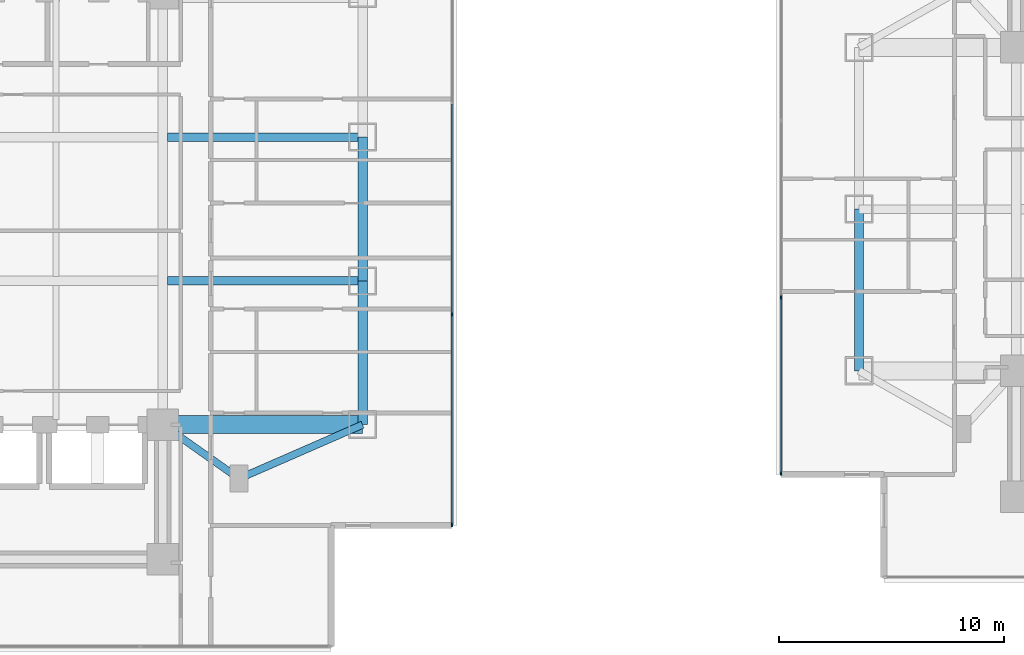
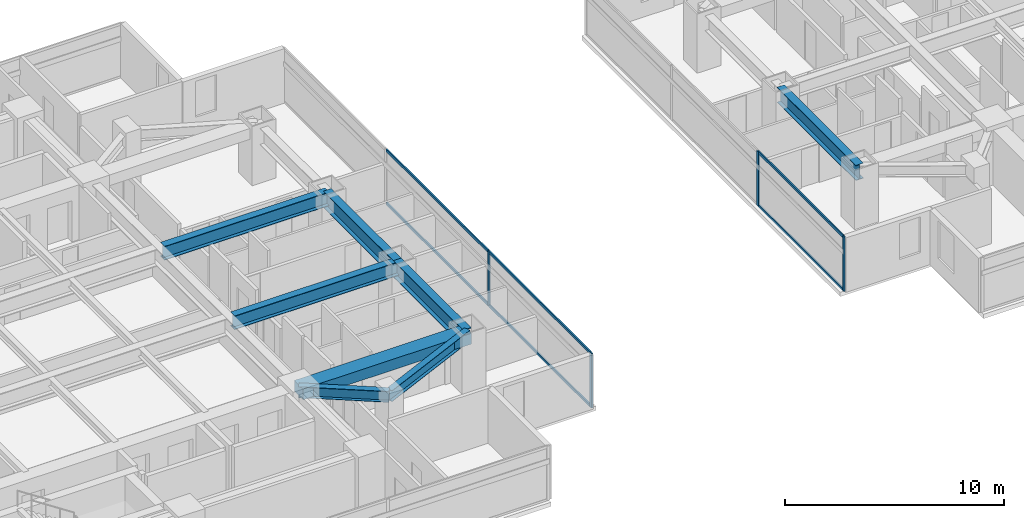
# One storey, part 5 of 26: 10 members, 8 beams, 2 elements without a shape of their own.
"""IFC4 building model written with IfcOpenShell, lengths in metres."""

from ifc_helpers import new_model, si_unit, direction, frame, origin, origin_2d, place, context, subcontext, project, spatial, rectangle, i_section, extrude, material, material_profile, profile_set, type_object, element, aggregate, save


model = new_model("IFC4")

# Units and contexts
model_context = context("Model", 3, precision=1e-05, world=origin(), true_north=direction((0.0, 1.0)))
body_context = subcontext(model_context, "Body", "Model", "MODEL_VIEW")
ifc_project = project(units=[si_unit("LENGTHUNIT", "METRE"), si_unit("AREAUNIT", "SQUARE_METRE"), si_unit("VOLUMEUNIT", "CUBIC_METRE"), si_unit("PLANEANGLEUNIT", "RADIAN"), si_unit("MASSUNIT", "GRAM", prefix="KILO")], contexts=[model_context])

# Site, building, storey
site_placement = place(None, origin())
site = spatial("IfcSite", under=ifc_project, at=site_placement, CompositionType="ELEMENT")
building_placement = place(site_placement, origin())
building = spatial("IfcBuilding", under=site, at=building_placement, Name="Mirazonda Arch Towers", CompositionType="ELEMENT")
storey_placement = place(building_placement, frame((0.0, 0.0, 38.89990234375)))
storey = spatial("IfcBuildingStorey", under=building, at=storey_placement, Name="L10", CompositionType="ELEMENT", Elevation=38.89990234375)

# Beams
ifc_material_1 = material(Name="Steel ASTM A992 Grade 50", Category="steel")
ifc_material_profile_1 = material_profile(ifc_material_1, i_section(OverallWidth=0.39990234375, OverallDepth=0.85595703125, WebThickness=0.018310546875, FlangeThickness=0.029296875, at=origin_2d()), Name="W33X201")
ifc_profile_set_1 = profile_set([ifc_material_profile_1], Name="Steel ASTM A992 Grade 50")
beam_type_1 = type_object("IfcBeamType", Name="BM-EXT-W33X201", PredefinedType="USERDEFINED", material=ifc_profile_set_1)
beam_1_placement = place(storey_placement, frame((61.0, 20.800048828125, 2.632080078125), z_axis=(0.0, 1.0, 0.0), x_axis=(-1.0, 0.0, 0.0)))
element("IfcBeam", 1, at=beam_1_placement, inside=storey, type_object=beam_type_1, Name="L10 Floor Beam BM-T2-L10-NS-W-20", ObjectType="GIRDER", PredefinedType="USERDEFINED", context=body_context, shape_type="SweptSolid", body=[
    extrude(i_section(OverallWidth=0.39990234375, OverallDepth=0.85595703125, WebThickness=0.018310546875, FlangeThickness=0.029296875, at=origin_2d()), origin(), (0.0, 0.0, 1.0), 7.199951171875),
])
ifc_material_profile_2 = material_profile(ifc_material_1, i_section(OverallWidth=0.41796875, OverallDepth=0.927001953125, WebThickness=0.019287109375, FlangeThickness=0.031982421875, at=origin_2d()), Name="W36X231")
ifc_profile_set_2 = profile_set([ifc_material_profile_2], Name="Steel ASTM A992 Grade 50")
beam_type_2 = type_object("IfcBeamType", Name="BM-EXT-W36X231", PredefinedType="USERDEFINED", material=ifc_profile_set_2)
beam_2_placement = place(storey_placement, frame((38.89990234375, 18.39990234375, 2.5966796875), z_axis=(0.0, 1.0, 0.0), x_axis=(-1.0, 0.0, 0.0)))
element("IfcBeam", 2, at=beam_2_placement, inside=storey, type_object=beam_type_2, Name="L10 Floor Beam BM-T1-L10-NS-E-18", ObjectType="GIRDER", PredefinedType="USERDEFINED", context=body_context, shape_type="SweptSolid", body=[
    extrude(i_section(OverallWidth=0.41796875, OverallDepth=0.927001953125, WebThickness=0.019287109375, FlangeThickness=0.031982421875, at=origin_2d()), origin(), (0.0, 0.0, 1.0), 6.400146484375),
])
beam_3_placement = place(storey_placement, frame((38.89990234375, 24.800048828125, 2.5966796875), z_axis=(0.0, 1.0, 0.0), x_axis=(-1.0, 0.0, 0.0)))
element("IfcBeam", 3, at=beam_3_placement, inside=storey, type_object=beam_type_2, Name="L10 Floor Beam BM-T1-L10-NS-E-24", ObjectType="GIRDER", PredefinedType="USERDEFINED", context=body_context, shape_type="SweptSolid", body=[
    extrude(i_section(OverallWidth=0.41796875, OverallDepth=0.927001953125, WebThickness=0.019287109375, FlangeThickness=0.031982421875, at=origin_2d()), origin(), (0.0, 0.0, 1.0), 6.39990234375),
])
ifc_material_profile_3 = material_profile(ifc_material_1, i_section(OverallWidth=0.324951171875, OverallDepth=0.615966796875, WebThickness=0.013916015625, FlangeThickness=0.021484375, at=origin_2d()), Name="W24X117")
ifc_profile_set_3 = profile_set([ifc_material_profile_3], Name="Steel ASTM A992 Grade 50")
beam_type_3 = type_object("IfcBeamType", Name="BM-INT-W24X117", PredefinedType="BEAM", material=ifc_profile_set_3)
beam_4_placement = place(storey_placement, frame((33.39990234375, 16.0, 2.752197265625), z_axis=(-0.816971114901, 0.576678591087, 0.0), x_axis=(-0.576678591087, -0.816971114901, 0.0)))
element("IfcBeam", 4, at=beam_4_placement, inside=storey, type_object=beam_type_3, Name="L10 Floor Beam BM-T1-L10-PL-SE1", PredefinedType="BEAM", context=body_context, shape_type="SweptSolid", body=[
    extrude(i_section(OverallWidth=0.324951171875, OverallDepth=0.615966796875, WebThickness=0.013916015625, FlangeThickness=0.021484375, at=origin_2d()), origin(), (0.0, 0.0, 1.0), 4.16162109375),
])
beam_5_placement = place(storey_placement, frame((33.39990234375, 16.0, 2.752197265625), z_axis=(0.916545343703, 0.399930785183, 0.0), x_axis=(-0.399930785183, 0.916545343703, 0.0)))
element("IfcBeam", 5, at=beam_5_placement, inside=storey, type_object=beam_type_3, Name="L10 Floor Beam BM-T1-L10-PL-SE2", PredefinedType="BEAM", context=body_context, shape_type="SweptSolid", body=[
    extrude(i_section(OverallWidth=0.324951171875, OverallDepth=0.615966796875, WebThickness=0.013916015625, FlangeThickness=0.021484375, at=origin_2d()), origin(), (0.0, 0.0, 1.0), 6.000732421875),
])
ifc_material_profile_4 = material_profile(ifc_material_1, i_section(OverallWidth=0.381103515625, OverallDepth=0.77294921875, WebThickness=0.0166015625, FlangeThickness=0.027099609375, at=origin_2d()), Name="W30X173")
ifc_profile_set_4 = profile_set([ifc_material_profile_4], Name="Steel ASTM A992 Grade 50")
beam_type_4 = type_object("IfcBeamType", Name="BM-INT-W30X173", PredefinedType="USERDEFINED", material=ifc_profile_set_4)
for number, where, z_axis, x_axis, name in (
    (6, (30.21142578125, 24.800048828125, 2.673583984375), (1.0, 0.0, 0.0), (0.0, 1.0, 0.0), "L10 Floor Beam BM-T1-L10-GE2"),
    (7, (30.21142578125, 31.199951171875, 2.673583984375), (1.0, 0.0, 0.0), (0.0, 1.0, 0.0), "L10 Floor Beam BM-T1-L10-GE3"),
):
    element("IfcBeam", number, at=place(storey_placement, frame(where, z_axis=z_axis, x_axis=x_axis)), inside=storey, type_object=beam_type_4, Name=name, ObjectType="GIRDER", PredefinedType="USERDEFINED", context=body_context, shape_type="SweptSolid", body=[
        extrude(i_section(OverallWidth=0.381103515625, OverallDepth=0.77294921875, WebThickness=0.0166015625, FlangeThickness=0.027099609375, at=origin_2d()), origin(), (0.0, 0.0, 1.0), 8.6884765625),
    ])
ifc_material_2 = material(Name="Concrete C60/75", Category="concrete")
ifc_material_profile_5 = material_profile(ifc_material_2, rectangle(XDim=0.800048828125, YDim=0.60009765625, at=origin_2d()), Name="RCCB800x600")
ifc_profile_set_5 = profile_set([ifc_material_profile_5], Name="Concrete C60/75")
beam_type_5 = type_object("IfcBeamType", Name="CB-INT-RCCB800x600", PredefinedType="SPANDREL", material=ifc_profile_set_5)
beam_6_placement = place(storey_placement, frame((30.0, 18.39990234375, 2.760009765625), z_axis=(1.0, 0.0, 0.0), x_axis=(0.0, 1.0, 0.0)))
element("IfcBeam", 8, at=beam_6_placement, inside=storey, type_object=beam_type_5, Name="L10 Floor Beam CBC-T1-L10-SE", PredefinedType="SPANDREL", context=body_context, shape_type="SweptSolid", body=[
    extrude(rectangle(XDim=0.800048828125, YDim=0.60009765625, at=origin_2d()), origin(), (0.0, 0.0, 1.0), 8.89990234375),
])

# Curtain wall, members
ifc_material_3 = material(Name="Anodised Aluminium and Low-E Glass", Category="aluminium")
curtain_wall_type = type_object("IfcCurtainWallType", Name="CW-HTL-UNIT", PredefinedType="NOTDEFINED", material=ifc_material_3)
curtain_wall_1_placement = place(storey_placement, origin())
curtain_wall_1 = element("IfcCurtainWall", 9, at=curtain_wall_1_placement, inside=storey, type_object=curtain_wall_type, Name="L10 T1 E Facade CW-L10-T1-E", PredefinedType="NOTDEFINED")
ifc_material_4 = material(Name="Anodised Aluminium Alloy", Category="aluminium")
ifc_material_profile_6 = material_profile(ifc_material_4, rectangle(XDim=0.074951171875, YDim=0.1650390625, at=origin_2d()), Name="ALU-MULL-75x165")
ifc_profile_set_6 = profile_set([ifc_material_profile_6], Name="Anodised Aluminium Alloy")
member_type_1 = type_object("IfcMemberType", Name="MULL-CW-HTL-UNIT", PredefinedType="MULLION", material=ifc_profile_set_6)
member_1_placement = place(storey_placement, frame((42.8798828125, 13.947509765625, 0.0), z_axis=(0.0, 0.0, 1.0), x_axis=(-1.0, 0.0, 0.0)))
member_1 = element("IfcMember", 10, at=member_1_placement, type_object=member_type_1, Name="CW-112 mullion 1", PredefinedType="MULLION", context=body_context, shape_type="SweptSolid", body=[
    extrude(rectangle(XDim=0.074951171875, YDim=0.1650390625, at=origin_2d()), origin(), (0.0, 0.0, 1.0), 3.0400390625),
])
member_2_placement = place(storey_placement, frame((42.8798828125, 23.30322265625, 0.0), z_axis=(0.0, 0.0, 1.0), x_axis=(-1.0, 0.0, 0.0)))
member_2 = element("IfcMember", 11, at=member_2_placement, type_object=member_type_1, Name="CW-112 mullion 2", PredefinedType="MULLION", context=body_context, shape_type="SweptSolid", body=[
    extrude(rectangle(XDim=0.074951171875, YDim=0.1650390625, at=origin_2d()), origin(), (0.0, 0.0, 1.0), 3.0400390625),
])

curtain_wall_2_placement = place(storey_placement, origin())
curtain_wall_2 = element("IfcCurtainWall", 12, at=curtain_wall_2_placement, inside=storey, type_object=curtain_wall_type, Name="L10 T2 W Facade CW-L10-T2-W", PredefinedType="NOTDEFINED")
member_3_placement = place(storey_placement, frame((57.530029296875, 24.061279296875, 0.0), z_axis=(0.0, 0.0, 1.0), x_axis=(1.0, 0.0, 0.0)))
member_3 = element("IfcMember", 13, at=member_3_placement, type_object=member_type_1, Name="CW-112 mullion 3", PredefinedType="MULLION", context=body_context, shape_type="SweptSolid", body=[
    extrude(rectangle(XDim=0.074951171875, YDim=0.1650390625, at=origin_2d()), origin(), (0.0, 0.0, 1.0), 3.0400390625),
])
member_4_placement = place(storey_placement, frame((57.530029296875, 16.220947265625, 0.0), z_axis=(0.0, 0.0, 1.0), x_axis=(1.0, 0.0, 0.0)))
member_4 = element("IfcMember", 14, at=member_4_placement, type_object=member_type_1, Name="CW-112 mullion 4", PredefinedType="MULLION", context=body_context, shape_type="SweptSolid", body=[
    extrude(rectangle(XDim=0.074951171875, YDim=0.1650390625, at=origin_2d()), origin(), (0.0, 0.0, 1.0), 3.0400390625),
])

# Member
ifc_material_profile_7 = material_profile(ifc_material_4, rectangle(XDim=0.074951171875, YDim=0.14501953125, at=origin_2d()), Name="ALU-TRAN-75x145")
ifc_profile_set_7 = profile_set([ifc_material_profile_7], Name="Anodised Aluminium Alloy")
member_type_2 = type_object("IfcMemberType", Name="TRAN-CW-HTL-UNIT", PredefinedType="USERDEFINED", material=ifc_profile_set_7)
member_5_placement = place(storey_placement, frame((42.8798828125, 13.985107421875, 0.03759765625), z_axis=(0.0, 1.0, 0.0), x_axis=(-1.0, 0.0, 0.0)))
member_5 = element("IfcMember", 15, at=member_5_placement, type_object=member_type_2, Name="CW-112 transom 1.1", ObjectType="TRANSOM", PredefinedType="USERDEFINED", context=body_context, shape_type="SweptSolid", body=[
    extrude(rectangle(XDim=0.074951171875, YDim=0.14501953125, at=origin_2d()), origin(), (0.0, 0.0, 1.0), 9.28076171875),
])

member_6_placement = place(storey_placement, frame((42.8798828125, 13.985107421875, 3.002685546875), z_axis=(0.0, 1.0, 0.0), x_axis=(-1.0, 0.0, 0.0)))
member_6 = element("IfcMember", 16, at=member_6_placement, type_object=member_type_2, Name="CW-112 transom 1.2", ObjectType="TRANSOM", PredefinedType="USERDEFINED", context=body_context, shape_type="SweptSolid", body=[
    extrude(rectangle(XDim=0.074951171875, YDim=0.14501953125, at=origin_2d()), origin(), (0.0, 0.0, 1.0), 9.28076171875),
])

member_7_placement = place(storey_placement, frame((42.8798828125, 23.3408203125, 0.03759765625), z_axis=(0.0, 1.0, 0.0), x_axis=(-1.0, 0.0, 0.0)))
member_7 = element("IfcMember", 17, at=member_7_placement, type_object=member_type_2, Name="CW-112 transom 2.1", ObjectType="TRANSOM", PredefinedType="USERDEFINED", context=body_context, shape_type="SweptSolid", body=[
    extrude(rectangle(XDim=0.074951171875, YDim=0.14501953125, at=origin_2d()), origin(), (0.0, 0.0, 1.0), 9.318359375),
])

member_8_placement = place(storey_placement, frame((42.8798828125, 23.3408203125, 3.002685546875), z_axis=(0.0, 1.0, 0.0), x_axis=(-1.0, 0.0, 0.0)))
member_8 = element("IfcMember", 18, at=member_8_placement, type_object=member_type_2, Name="CW-112 transom 2.2", ObjectType="TRANSOM", PredefinedType="USERDEFINED", context=body_context, shape_type="SweptSolid", body=[
    extrude(rectangle(XDim=0.074951171875, YDim=0.14501953125, at=origin_2d()), origin(), (0.0, 0.0, 1.0), 9.318359375),
])

aggregate(curtain_wall_1, [member_1, member_2, member_5, member_6, member_7, member_8])

member_9_placement = place(storey_placement, frame((57.530029296875, 24.023681640625, 0.03759765625), z_axis=(0.0, -1.0, 0.0), x_axis=(1.0, 0.0, 0.0)))
member_9 = element("IfcMember", 19, at=member_9_placement, type_object=member_type_2, Name="CW-112 transom 3.1", ObjectType="TRANSOM", PredefinedType="USERDEFINED", context=body_context, shape_type="SweptSolid", body=[
    extrude(rectangle(XDim=0.074951171875, YDim=0.14501953125, at=origin_2d()), origin(), (0.0, 0.0, 1.0), 7.76513671875),
])

member_10_placement = place(storey_placement, frame((57.530029296875, 24.023681640625, 3.002685546875), z_axis=(0.0, -1.0, 0.0), x_axis=(1.0, 0.0, 0.0)))
member_10 = element("IfcMember", 20, at=member_10_placement, type_object=member_type_2, Name="CW-112 transom 3.2", ObjectType="TRANSOM", PredefinedType="USERDEFINED", context=body_context, shape_type="SweptSolid", body=[
    extrude(rectangle(XDim=0.074951171875, YDim=0.14501953125, at=origin_2d()), origin(), (0.0, 0.0, 1.0), 7.76513671875),
])

aggregate(curtain_wall_2, [member_3, member_4, member_9, member_10])

save(model, "model.ifc")
